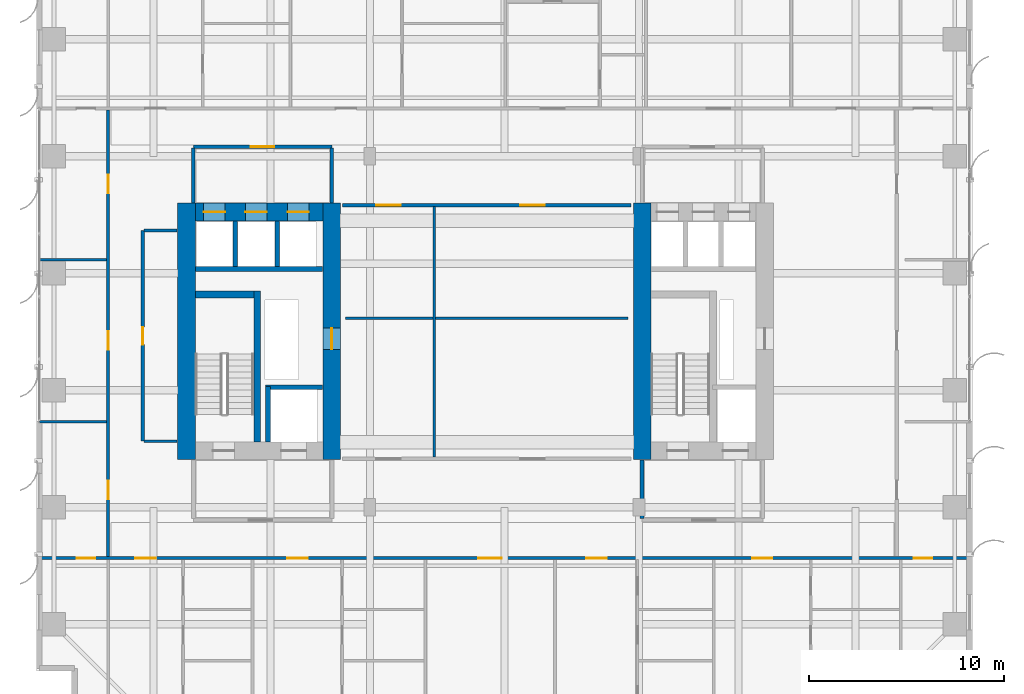
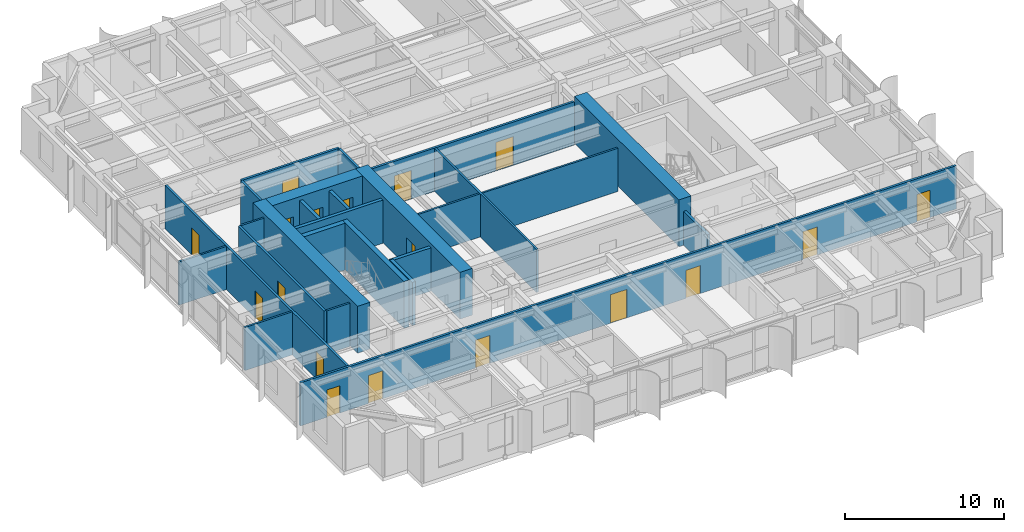
# One storey, part 16 of 23: 25 walls, 18 doors, 18 openings.
"""IFC4 building model written with IfcOpenShell, lengths in metres."""

from ifc_helpers import new_model, si_unit, direction, frame, frame_2d, origin, place, context, subcontext, project, spatial, rectangle, extrude, source, transform, mapped, material, layer, layer_set, type_object, element, fill, save


model = new_model("IFC4")

# Units and contexts
model_context = context("Model", 3, precision=1e-05, world=origin(), true_north=direction((0.0, 1.0)))
body_context = subcontext(model_context, "Body", "Model", "MODEL_VIEW")
ifc_project = project(units=[si_unit("LENGTHUNIT", "METRE"), si_unit("AREAUNIT", "SQUARE_METRE"), si_unit("VOLUMEUNIT", "CUBIC_METRE"), si_unit("PLANEANGLEUNIT", "RADIAN"), si_unit("MASSUNIT", "GRAM", prefix="KILO")], contexts=[model_context])

# Site, building, storey
site_placement = place(None, origin())
site = spatial("IfcSite", under=ifc_project, at=site_placement, CompositionType="ELEMENT")
building_placement = place(site_placement, origin())
building = spatial("IfcBuilding", under=site, at=building_placement, Name="Khoralis Quay Care Tower", CompositionType="ELEMENT")
storey_placement = place(building_placement, frame((0.0, 0.0, 33.300048828125)))
storey = spatial("IfcBuildingStorey", under=building, at=storey_placement, Name="L08", CompositionType="ELEMENT", Elevation=33.300048828125)

# Walls
ifc_material_1 = material(Name="Gypsum plasterboard on acoustic metal stud")
ifc_layer_1 = layer(ifc_material_1, 0.199951171875)
ifc_layer_set_1 = layer_set([ifc_layer_1], Name="Gypsum plasterboard on acoustic metal stud")
wall_type_1 = type_object("IfcWallType", Name="WL-COMP-200", PredefinedType="PARTITIONING", material=ifc_layer_set_1)
wall_1_placement = place(storey_placement, frame((31.050048828125, 11.445068359375, 0.0), z_axis=(0.0, 0.0, 1.0), x_axis=(0.0, 1.0, 0.0)))
element("IfcWall", 1, at=wall_1_placement, inside=storey, type_object=wall_type_1, Name="L08 East Firefighting Lobby West Wall", PredefinedType="PARTITIONING", context=body_context, shape_type="SweptSolid", body=[
    extrude(rectangle(XDim=2.98486328125, YDim=0.199951171875, at=frame_2d((1.492431640625, 0.0))), origin(), (0.0, 0.0, 1.0), 2.625),
])
ifc_material_2 = material(Name="Concrete C80/95", Category="concrete")
ifc_layer_2 = layer(ifc_material_2, 0.89990234375)
ifc_layer_set_2 = layer_set([ifc_layer_2], Name="Concrete C80/95")
wall_type_2 = type_object("IfcWallType", Name="WL-CORE-900", PredefinedType="SHEAR", material=ifc_layer_set_2)
wall_2_placement = place(storey_placement, frame((7.699951171875, 14.449951171875, 0.0), z_axis=(0.0, 0.0, 1.0), x_axis=(0.0, 1.0, 0.0)))
element("IfcWall", 2, at=wall_2_placement, inside=storey, type_object=wall_type_2, Name="L08 WCORE West Shear Wall", PredefinedType="SHEAR", context=body_context, shape_type="SweptSolid", body=[
    extrude(rectangle(XDim=13.150146484375, YDim=0.89990234375, at=frame_2d((6.5751953125, 0.0))), origin(), (0.0, 0.0, 1.0), 3.599853515625),
])

# Wall, opening, door
wall_3_placement = place(storey_placement, frame((15.14990234375, 14.449951171875, 0.0), z_axis=(0.0, 0.0, 1.0), x_axis=(0.0, 1.0, 0.0)))
wall_3 = element("IfcWall", 3, at=wall_3_placement, inside=storey, type_object=wall_type_2, Name="L08 WCORE East Shear Wall", PredefinedType="SHEAR", context=body_context, shape_type="SweptSolid", body=[
    extrude(rectangle(XDim=13.150146484375, YDim=0.89990234375, at=frame_2d((6.5751953125, 0.0))), origin(), (0.0, 0.0, 1.0), 3.599853515625),
])
opening_1_placement = place(wall_3_placement, frame((5.64990234375, 0.0, 0.0)))
opening_1 = element("IfcOpeningElement", 4, at=opening_1_placement, cuts=wall_3, Name="Opening SD1", PredefinedType="OPENING", context=body_context, shape_type="SweptSolid", body=[
    extrude(rectangle(XDim=1.10009765625, YDim=2.199951171875, at=frame_2d((0.550048828125, 1.10009765625))), frame((0.0, 0.4599609375, 0.0), z_axis=(0.0, -1.0, 0.0), x_axis=(1.0, 0.0, 0.0)), (0.0, 0.0, 1.0), 0.919921875),
])
ifc_material_3 = material(Name="Fire-rated painted steel", Category="steel")
door_type_1 = type_object("IfcDoorType", Name="DR-STAIR-1100X2200", OperationType="NOTDEFINED", PredefinedType="DOOR", material=ifc_material_3)
shared_shape_1 = source(origin(), body_context, "Body", "SweptSolid", [
    extrude(rectangle(XDim=1.10009765625, YDim=2.199951171875, at=frame_2d((0.550048828125, 1.10009765625))), frame((0.0, 0.02490234375, 0.0), z_axis=(0.0, -1.0, 0.0), x_axis=(1.0, 0.0, 0.0)), (0.0, 0.0, 1.0), 0.050048828125),
])
door_1_placement = place(opening_1_placement, origin())
door_1 = element("IfcDoor", 5, at=door_1_placement, inside=storey, type_object=door_type_1, Name="L08 West MEP Riser Door", OperationType="SINGLE_SWING_RIGHT", OverallHeight=2.199951171875, OverallWidth=1.10009765625, PredefinedType="DOOR", context=body_context, shape_type="MappedRepresentation", body=[
    mapped(shared_shape_1, transform((0.0, 0.0, 0.0), scale=1.0)),
])
fill(opening_1, door_1)

# Wall, openings, doors
wall_4_placement = place(storey_placement, frame((8.14990234375, 27.14990234375, 0.0), z_axis=(0.0, 0.0, 1.0), x_axis=(1.0, 0.0, 0.0)))
wall_4 = element("IfcWall", 6, at=wall_4_placement, inside=storey, type_object=wall_type_2, Name="L08 WCORE North Shear Wall", PredefinedType="SHEAR", context=body_context, shape_type="SweptSolid", body=[
    extrude(rectangle(XDim=6.550048828125, YDim=0.89990234375, at=frame_2d((3.27490234375, 0.0))), origin(), (0.0, 0.0, 1.0), 3.599853515625),
])
opening_2_placement = place(wall_4_placement, frame((0.429931640625, 0.0, 0.0)))
opening_2 = element("IfcOpeningElement", 7, at=opening_2_placement, cuts=wall_4, Name="Opening LD1", PredefinedType="OPENING", context=body_context, shape_type="SweptSolid", body=[
    extrude(rectangle(XDim=1.10009765625, YDim=2.199951171875, at=frame_2d((0.550048828125, 1.10009765625))), frame((0.0, 0.4599609375, 0.0), z_axis=(0.0, -1.0, 0.0), x_axis=(1.0, 0.0, 0.0)), (0.0, 0.0, 1.0), 0.919921875),
])
opening_3_placement = place(wall_4_placement, frame((2.570068359375, 0.0, 0.0)))
opening_3 = element("IfcOpeningElement", 8, at=opening_3_placement, cuts=wall_4, Name="Opening LD1", PredefinedType="OPENING", context=body_context, shape_type="SweptSolid", body=[
    extrude(rectangle(XDim=1.10009765625, YDim=2.199951171875, at=frame_2d((0.550048828125, 1.10009765625))), frame((0.0, 0.4599609375, 0.0), z_axis=(0.0, -1.0, 0.0), x_axis=(1.0, 0.0, 0.0)), (0.0, 0.0, 1.0), 0.919921875),
])
opening_4_placement = place(wall_4_placement, frame((4.72998046875, 0.0, 0.0)))
opening_4 = element("IfcOpeningElement", 9, at=opening_4_placement, cuts=wall_4, Name="Opening LD1", PredefinedType="OPENING", context=body_context, shape_type="SweptSolid", body=[
    extrude(rectangle(XDim=1.10009765625, YDim=2.199951171875, at=frame_2d((0.550048828125, 1.10009765625))), frame((0.0, 0.4599609375, 0.0), z_axis=(0.0, -1.0, 0.0), x_axis=(1.0, 0.0, 0.0)), (0.0, 0.0, 1.0), 0.919921875),
])
ifc_material_4 = material(Name="Brushed stainless steel", Category="steel")
door_type_2 = type_object("IfcDoorType", Name="DR-LIFT-1100X2200", OperationType="SLIDING_TO_LEFT", PredefinedType="DOOR", material=ifc_material_4)
shared_shape_2 = source(origin(), body_context, "Body", "SweptSolid", [
    extrude(rectangle(XDim=1.10009765625, YDim=2.199951171875, at=frame_2d((0.550048828125, 1.10009765625))), frame((0.0, 0.02490234375, 0.0), z_axis=(0.0, -1.0, 0.0), x_axis=(1.0, 0.0, 0.0)), (0.0, 0.0, 1.0), 0.050048828125),
])
door_2_placement = place(opening_2_placement, origin())
door_2 = element("IfcDoor", 10, at=door_2_placement, inside=storey, type_object=door_type_2, Name="L08 Lift PLL1 Landing Door", OperationType="SLIDING_TO_LEFT", OverallHeight=2.199951171875, OverallWidth=1.10009765625, PredefinedType="DOOR", context=body_context, shape_type="MappedRepresentation", body=[
    mapped(shared_shape_2, transform((0.0, 0.0, 0.0), scale=1.0)),
])
fill(opening_2, door_2)
door_3_placement = place(opening_3_placement, origin())
door_3 = element("IfcDoor", 11, at=door_3_placement, inside=storey, type_object=door_type_2, Name="L08 Lift PLM1 Landing Door", OperationType="SLIDING_TO_LEFT", OverallHeight=2.199951171875, OverallWidth=1.10009765625, PredefinedType="DOOR", context=body_context, shape_type="MappedRepresentation", body=[
    mapped(shared_shape_2, transform((0.0, 0.0, 0.0), scale=1.0)),
])
fill(opening_3, door_3)
door_4_placement = place(opening_4_placement, origin())
door_4 = element("IfcDoor", 12, at=door_4_placement, inside=storey, type_object=door_type_2, Name="L08 Lift PLH1 Landing Door", OperationType="SLIDING_TO_LEFT", OverallHeight=2.199951171875, OverallWidth=1.10009765625, PredefinedType="DOOR", context=body_context, shape_type="MappedRepresentation", body=[
    mapped(shared_shape_2, transform((0.0, 0.0, 0.0), scale=1.0)),
])
fill(opening_4, door_4)

# Wall
wall_5_placement = place(storey_placement, frame((31.070068359375, 14.449951171875, 0.0), z_axis=(0.0, 0.0, 1.0), x_axis=(0.0, 1.0, 0.0)))
element("IfcWall", 13, at=wall_5_placement, inside=storey, type_object=wall_type_2, Name="L08 ECORE West Shear Wall", PredefinedType="SHEAR", context=body_context, shape_type="SweptSolid", body=[
    extrude(rectangle(XDim=13.150146484375, YDim=0.89990234375, at=frame_2d((6.5751953125, 0.0))), origin(), (0.0, 0.0, 1.0), 3.599853515625),
])

# Wall, opening, door
ifc_layer_3 = layer(ifc_material_1, 0.1650390625)
ifc_layer_set_3 = layer_set([ifc_layer_3], Name="Gypsum plasterboard on acoustic metal stud")
wall_type_3 = type_object("IfcWallType", Name="WL-CORR-165", PredefinedType="PARTITIONING", material=ifc_layer_set_3)
wall_6_placement = place(storey_placement, frame((8.050048828125, 30.5, 0.0), z_axis=(0.0, 0.0, 1.0), x_axis=(1.0, 0.0, 0.0)))
wall_6 = element("IfcWall", 14, at=wall_6_placement, inside=storey, type_object=wall_type_3, Name="L08 West Lift Lobby North Wall", PredefinedType="PARTITIONING", context=body_context, shape_type="SweptSolid", body=[
    extrude(rectangle(XDim=7.099853515625, YDim=0.1650390625, at=frame_2d((3.5498046875, 0.0))), origin(), (0.0, 0.0, 1.0), 3.320068359375),
])
opening_5_placement = place(wall_6_placement, frame((2.949951171875, 0.0, 0.0)))
opening_5 = element("IfcOpeningElement", 15, at=opening_5_placement, cuts=wall_6, Name="Opening FD1", PredefinedType="OPENING", context=body_context, shape_type="SweptSolid", body=[
    extrude(rectangle(XDim=1.199951171875, YDim=2.199951171875, at=frame_2d((0.60009765625, 1.10009765625))), frame((0.0, 0.092529296875, 0.0), z_axis=(0.0, -1.0, 0.0), x_axis=(1.0, 0.0, 0.0)), (0.0, 0.0, 1.0), 0.18505859375),
])
door_type_3 = type_object("IfcDoorType", Name="DR-FFL-1200X2200", OperationType="NOTDEFINED", PredefinedType="DOOR", material=ifc_material_3)
shared_shape_3 = source(origin(), body_context, "Body", "SweptSolid", [
    extrude(rectangle(XDim=1.199951171875, YDim=2.199951171875, at=frame_2d((0.60009765625, 1.10009765625))), frame((0.0, 0.02490234375, 0.0), z_axis=(0.0, -1.0, 0.0), x_axis=(1.0, 0.0, 0.0)), (0.0, 0.0, 1.0), 0.050048828125),
])
door_5_placement = place(opening_5_placement, origin())
door_5 = element("IfcDoor", 16, at=door_5_placement, inside=storey, type_object=door_type_3, Name="L08 West Lift Lobby Double Door", OperationType="DOUBLE_DOOR_SINGLE_SWING", OverallHeight=2.199951171875, OverallWidth=1.199951171875, PredefinedType="DOOR", context=body_context, shape_type="MappedRepresentation", body=[
    mapped(shared_shape_3, transform((0.0, 0.0, 0.0), scale=1.0)),
])
fill(opening_5, door_5)

# Walls
for number, where, z_axis, x_axis, name in (
    (17, (8.050048828125, 27.6201171875, 0.0), (0.0, 0.0, 1.0), (0.0, 1.0, 0.0), "L08 West Lift Lobby West Wall"),
    (18, (15.14990234375, 27.6201171875, 0.0), (0.0, 0.0, 1.0), (0.0, 1.0, 0.0), "L08 West Lift Lobby East Wall"),
):
    element("IfcWall", number, at=place(storey_placement, frame(where, z_axis=z_axis, x_axis=x_axis)), inside=storey, type_object=wall_type_3, Name=name, PredefinedType="PARTITIONING", context=body_context, shape_type="SweptSolid", body=[
        extrude(rectangle(XDim=2.802490234375, YDim=0.1650390625, at=frame_2d((1.4013671875, 0.0))), origin(), (0.0, 0.0, 1.0), 3.320068359375),
    ])

# Wall, opening, door
wall_7_placement = place(storey_placement, frame((5.449951171875, 15.39990234375, 0.0), z_axis=(0.0, 0.0, 1.0), x_axis=(0.0, 1.0, 0.0)))
wall_7 = element("IfcWall", 19, at=wall_7_placement, inside=storey, type_object=wall_type_3, Name="L08 West Core Service Flank Wall", PredefinedType="PARTITIONING", context=body_context, shape_type="SweptSolid", body=[
    extrude(rectangle(XDim=10.800048828125, YDim=0.1650390625, at=frame_2d((5.39990234375, 0.0))), origin(), (0.0, 0.0, 1.0), 3.320068359375),
])
opening_6_placement = place(wall_7_placement, frame((4.949951171875, 0.0, 0.0)))
opening_6 = element("IfcOpeningElement", 20, at=opening_6_placement, cuts=wall_7, Name="Opening WD1", PredefinedType="OPENING", context=body_context, shape_type="SweptSolid", body=[
    extrude(rectangle(XDim=0.89990234375, YDim=2.10009765625, at=frame_2d((0.449951171875, 1.050048828125))), frame((0.0, 0.092529296875, 0.0), z_axis=(0.0, -1.0, 0.0), x_axis=(1.0, 0.0, 0.0)), (0.0, 0.0, 1.0), 0.18505859375),
])
ifc_material_5 = material(Name="Acoustic hardwood timber", Category="wood")
door_type_4 = type_object("IfcDoorType", Name="DR-BATH-900X2100", OperationType="NOTDEFINED", PredefinedType="DOOR", material=ifc_material_5)
shared_shape_4 = source(origin(), body_context, "Body", "SweptSolid", [
    extrude(rectangle(XDim=0.89990234375, YDim=2.10009765625, at=frame_2d((0.449951171875, 1.050048828125))), frame((0.0, 0.02490234375, 0.0), z_axis=(0.0, -1.0, 0.0), x_axis=(1.0, 0.0, 0.0)), (0.0, 0.0, 1.0), 0.050048828125),
])
door_6_placement = place(opening_6_placement, frame((0.89990234375, 0.0, 0.0), z_axis=(0.0, 0.0, 1.0), x_axis=(-1.0, 0.0, 0.0)))
door_6 = element("IfcDoor", 21, at=door_6_placement, inside=storey, type_object=door_type_4, Name="L08 Housekeeping & Public Accessible WC Door", OperationType="SINGLE_SWING_LEFT", OverallHeight=2.10009765625, OverallWidth=0.89990234375, PredefinedType="DOOR", context=body_context, shape_type="MappedRepresentation", body=[
    mapped(shared_shape_4, transform((0.0, 0.0, 0.0), scale=1.0)),
])
fill(opening_6, door_6)

# Wall, openings, doors
wall_8_placement = place(storey_placement, frame((0.14501953125, 9.39990234375, 0.0), z_axis=(0.0, 0.0, 1.0), x_axis=(1.0, 0.0, 0.0)))
wall_8 = element("IfcWall", 22, at=wall_8_placement, inside=storey, type_object=wall_type_3, Name="L08 South Main Corridor Wall", PredefinedType="PARTITIONING", context=body_context, shape_type="SweptSolid", body=[
    extrude(rectangle(XDim=47.7099609375, YDim=0.1650390625, at=frame_2d((23.85498046875, 0.0))), origin(), (0.0, 0.0, 1.0), 3.320068359375),
])
opening_7_placement = place(wall_8_placement, frame((4.93408203125, 0.0, 0.0)))
opening_7 = element("IfcOpeningElement", 23, at=opening_7_placement, cuts=wall_8, Name="Opening UD1", PredefinedType="OPENING", context=body_context, shape_type="SweptSolid", body=[
    extrude(rectangle(XDim=1.050048828125, YDim=2.14990234375, at=frame_2d((0.52490234375, 1.074951171875))), frame((0.0, 0.092529296875, 0.0), z_axis=(0.0, -1.0, 0.0), x_axis=(1.0, 0.0, 0.0)), (0.0, 0.0, 1.0), 0.18505859375),
])
opening_8_placement = place(wall_8_placement, frame((12.71337890625, 0.0, 0.0)))
opening_8 = element("IfcOpeningElement", 24, at=opening_8_placement, cuts=wall_8, Name="Opening UD1", PredefinedType="OPENING", context=body_context, shape_type="SweptSolid", body=[
    extrude(rectangle(XDim=1.050048828125, YDim=2.14990234375, at=frame_2d((0.52490234375, 1.074951171875))), frame((0.0, 0.092529296875, 0.0), z_axis=(0.0, -1.0, 0.0), x_axis=(1.0, 0.0, 0.0)), (0.0, 0.0, 1.0), 0.18505859375),
])
opening_9_placement = place(wall_8_placement, frame((22.52490234375, 0.0, 0.0)))
opening_9 = element("IfcOpeningElement", 25, at=opening_9_placement, cuts=wall_8, Name="Opening FD1", PredefinedType="OPENING", context=body_context, shape_type="SweptSolid", body=[
    extrude(rectangle(XDim=1.199951171875, YDim=2.199951171875, at=frame_2d((0.60009765625, 1.10009765625))), frame((0.0, 0.092529296875, 0.0), z_axis=(0.0, -1.0, 0.0), x_axis=(1.0, 0.0, 0.0)), (0.0, 0.0, 1.0), 0.18505859375),
])
opening_10_placement = place(wall_8_placement, frame((28.0439453125, 0.0, 0.0)))
opening_10 = element("IfcOpeningElement", 26, at=opening_10_placement, cuts=wall_8, Name="Opening UD1", PredefinedType="OPENING", context=body_context, shape_type="SweptSolid", body=[
    extrude(rectangle(XDim=1.050048828125, YDim=2.14990234375, at=frame_2d((0.52490234375, 1.074951171875))), frame((0.0, 0.092529296875, 0.0), z_axis=(0.0, -1.0, 0.0), x_axis=(1.0, 0.0, 0.0)), (0.0, 0.0, 1.0), 0.18505859375),
])
opening_11_placement = place(wall_8_placement, frame((36.553466796875, 0.0, 0.0)))
opening_11 = element("IfcOpeningElement", 27, at=opening_11_placement, cuts=wall_8, Name="Opening UD1", PredefinedType="OPENING", context=body_context, shape_type="SweptSolid", body=[
    extrude(rectangle(XDim=1.050048828125, YDim=2.14990234375, at=frame_2d((0.52490234375, 1.074951171875))), frame((0.0, 0.092529296875, 0.0), z_axis=(0.0, -1.0, 0.0), x_axis=(1.0, 0.0, 0.0)), (0.0, 0.0, 1.0), 0.18505859375),
])
opening_12_placement = place(wall_8_placement, frame((1.919921875, 0.0, 0.0)))
opening_12 = element("IfcOpeningElement", 28, at=opening_12_placement, cuts=wall_8, Name="Opening ID1", PredefinedType="OPENING", context=body_context, shape_type="SweptSolid", body=[
    extrude(rectangle(XDim=0.949951171875, YDim=2.10009765625, at=frame_2d((0.47509765625, 1.050048828125))), frame((0.0, 0.092529296875, 0.0), z_axis=(0.0, -1.0, 0.0), x_axis=(1.0, 0.0, 0.0)), (0.0, 0.0, 1.0), 0.18505859375),
])
opening_13_placement = place(wall_8_placement, frame((44.840087890625, 0.0, 0.0)))
opening_13 = element("IfcOpeningElement", 29, at=opening_13_placement, cuts=wall_8, Name="Opening ID1", PredefinedType="OPENING", context=body_context, shape_type="SweptSolid", body=[
    extrude(rectangle(XDim=0.949951171875, YDim=2.10009765625, at=frame_2d((0.47509765625, 1.050048828125))), frame((0.0, 0.092529296875, 0.0), z_axis=(0.0, -1.0, 0.0), x_axis=(1.0, 0.0, 0.0)), (0.0, 0.0, 1.0), 0.18505859375),
])
door_7_placement = place(opening_9_placement, frame((1.199951171875, 0.0, 0.0), z_axis=(0.0, 0.0, 1.0), x_axis=(-1.0, 0.0, 0.0)))
door_7 = element("IfcDoor", 30, at=door_7_placement, inside=storey, type_object=door_type_3, Name="L08 Resident Communal Day Lounge Door", OperationType="DOUBLE_DOOR_SINGLE_SWING", OverallHeight=2.199951171875, OverallWidth=1.199951171875, PredefinedType="DOOR", context=body_context, shape_type="MappedRepresentation", body=[
    mapped(shared_shape_3, transform((0.0, 0.0, 0.0), scale=1.0)),
])
fill(opening_9, door_7)
door_type_5 = type_object("IfcDoorType", Name="DR-ROOM-950X2100", OperationType="NOTDEFINED", PredefinedType="DOOR", material=ifc_material_5)
shared_shape_5 = source(origin(), body_context, "Body", "SweptSolid", [
    extrude(rectangle(XDim=0.949951171875, YDim=2.10009765625, at=frame_2d((0.47509765625, 1.050048828125))), frame((0.0, 0.02490234375, 0.0), z_axis=(0.0, -1.0, 0.0), x_axis=(1.0, 0.0, 0.0)), (0.0, 0.0, 1.0), 0.050048828125),
])
door_8_placement = place(opening_12_placement, frame((0.949951171875, 0.0, 0.0), z_axis=(0.0, 0.0, 1.0), x_axis=(-1.0, 0.0, 0.0)))
door_8 = element("IfcDoor", 31, at=door_8_placement, inside=storey, type_object=door_type_5, Name="L08 SW Corner Door", OperationType="SINGLE_SWING_LEFT", OverallHeight=2.10009765625, OverallWidth=0.949951171875, PredefinedType="DOOR", context=body_context, shape_type="MappedRepresentation", body=[
    mapped(shared_shape_5, transform((0.0, 0.0, 0.0), scale=1.0)),
])
fill(opening_12, door_8)
door_9_placement = place(opening_13_placement, frame((0.949951171875, 0.0, 0.0), z_axis=(0.0, 0.0, 1.0), x_axis=(-1.0, 0.0, 0.0)))
door_9 = element("IfcDoor", 32, at=door_9_placement, inside=storey, type_object=door_type_5, Name="L08 SE Corner Door", OperationType="SINGLE_SWING_RIGHT", OverallHeight=2.10009765625, OverallWidth=0.949951171875, PredefinedType="DOOR", context=body_context, shape_type="MappedRepresentation", body=[
    mapped(shared_shape_5, transform((0.0, 0.0, 0.0), scale=1.0)),
])
fill(opening_13, door_9)
door_type_6 = type_object("IfcDoorType", Name="DR-SUITE-1050X2150", OperationType="NOTDEFINED", PredefinedType="DOOR", material=ifc_material_5)
shared_shape_6 = source(origin(), body_context, "Body", "SweptSolid", [
    extrude(rectangle(XDim=1.050048828125, YDim=2.14990234375, at=frame_2d((0.52490234375, 1.074951171875))), frame((0.0, 0.02490234375, 0.0), z_axis=(0.0, -1.0, 0.0), x_axis=(1.0, 0.0, 0.0)), (0.0, 0.0, 1.0), 0.050048828125),
])
door_10_placement = place(opening_7_placement, frame((1.050048828125, 0.0, 0.0), z_axis=(0.0, 0.0, 1.0), x_axis=(-1.0, 0.0, 0.0)))
door_10 = element("IfcDoor", 33, at=door_10_placement, inside=storey, type_object=door_type_6, Name="L08 Apartment SB0 Entrance Door", OperationType="SINGLE_SWING_RIGHT", OverallHeight=2.14990234375, OverallWidth=1.050048828125, PredefinedType="DOOR", context=body_context, shape_type="MappedRepresentation", body=[
    mapped(shared_shape_6, transform((0.0, 0.0, 0.0), scale=1.0)),
])
fill(opening_7, door_10)
door_11_placement = place(opening_8_placement, frame((1.050048828125, 0.0, 0.0), z_axis=(0.0, 0.0, 1.0), x_axis=(-1.0, 0.0, 0.0)))
door_11 = element("IfcDoor", 34, at=door_11_placement, inside=storey, type_object=door_type_6, Name="L08 Apartment SB1 Entrance Door", OperationType="SINGLE_SWING_LEFT", OverallHeight=2.14990234375, OverallWidth=1.050048828125, PredefinedType="DOOR", context=body_context, shape_type="MappedRepresentation", body=[
    mapped(shared_shape_6, transform((0.0, 0.0, 0.0), scale=1.0)),
])
fill(opening_8, door_11)
door_12_placement = place(opening_10_placement, frame((1.050048828125, 0.0, 0.0), z_axis=(0.0, 0.0, 1.0), x_axis=(-1.0, 0.0, 0.0)))
door_12 = element("IfcDoor", 35, at=door_12_placement, inside=storey, type_object=door_type_6, Name="L08 Apartment SB3 Entrance Door", OperationType="SINGLE_SWING_LEFT", OverallHeight=2.14990234375, OverallWidth=1.050048828125, PredefinedType="DOOR", context=body_context, shape_type="MappedRepresentation", body=[
    mapped(shared_shape_6, transform((0.0, 0.0, 0.0), scale=1.0)),
])
fill(opening_10, door_12)
door_13_placement = place(opening_11_placement, frame((1.050048828125, 0.0, 0.0), z_axis=(0.0, 0.0, 1.0), x_axis=(-1.0, 0.0, 0.0)))
door_13 = element("IfcDoor", 36, at=door_13_placement, inside=storey, type_object=door_type_6, Name="L08 Apartment SB4 Entrance Door", OperationType="SINGLE_SWING_RIGHT", OverallHeight=2.14990234375, OverallWidth=1.050048828125, PredefinedType="DOOR", context=body_context, shape_type="MappedRepresentation", body=[
    mapped(shared_shape_6, transform((0.0, 0.0, 0.0), scale=1.0)),
])
fill(opening_11, door_13)

wall_9_placement = place(storey_placement, frame((3.679931640625, 9.4775390625, 0.0), z_axis=(0.0, 0.0, 1.0), x_axis=(0.0, 1.0, 0.0)))
wall_9 = element("IfcWall", 37, at=wall_9_placement, inside=storey, type_object=wall_type_3, Name="L08 West Loop Corridor Wall", PredefinedType="PARTITIONING", context=body_context, shape_type="SweptSolid", body=[
    extrude(rectangle(XDim=22.905029296875, YDim=0.1650390625, at=frame_2d((11.45263671875, 0.0))), origin(), (0.0, 0.0, 1.0), 3.320068359375),
])
opening_14_placement = place(wall_9_placement, frame((2.947509765625, 0.0, 0.0)))
opening_14 = element("IfcOpeningElement", 38, at=opening_14_placement, cuts=wall_9, Name="Opening ID1", PredefinedType="OPENING", context=body_context, shape_type="SweptSolid", body=[
    extrude(rectangle(XDim=0.949951171875, YDim=2.10009765625, at=frame_2d((0.47509765625, 1.050048828125))), frame((0.0, 0.092529296875, 0.0), z_axis=(0.0, -1.0, 0.0), x_axis=(1.0, 0.0, 0.0)), (0.0, 0.0, 1.0), 0.18505859375),
])
opening_15_placement = place(wall_9_placement, frame((10.597412109375, 0.0, 0.0)))
opening_15 = element("IfcOpeningElement", 39, at=opening_15_placement, cuts=wall_9, Name="Opening ID1", PredefinedType="OPENING", context=body_context, shape_type="SweptSolid", body=[
    extrude(rectangle(XDim=0.949951171875, YDim=2.10009765625, at=frame_2d((0.47509765625, 1.050048828125))), frame((0.0, 0.092529296875, 0.0), z_axis=(0.0, -1.0, 0.0), x_axis=(1.0, 0.0, 0.0)), (0.0, 0.0, 1.0), 0.18505859375),
])
opening_16_placement = place(wall_9_placement, frame((18.62744140625, 0.0, 0.0)))
opening_16 = element("IfcOpeningElement", 40, at=opening_16_placement, cuts=wall_9, Name="Opening ID1", PredefinedType="OPENING", context=body_context, shape_type="SweptSolid", body=[
    extrude(rectangle(XDim=0.949951171875, YDim=2.10009765625, at=frame_2d((0.47509765625, 1.050048828125))), frame((0.0, 0.092529296875, 0.0), z_axis=(0.0, -1.0, 0.0), x_axis=(1.0, 0.0, 0.0)), (0.0, 0.0, 1.0), 0.18505859375),
])
door_14_placement = place(opening_14_placement, origin())
door_14 = element("IfcDoor", 41, at=door_14_placement, inside=storey, type_object=door_type_5, Name="L08 Therapy Consultation Room Door", OperationType="SINGLE_SWING_LEFT", OverallHeight=2.10009765625, OverallWidth=0.949951171875, PredefinedType="DOOR", context=body_context, shape_type="MappedRepresentation", body=[
    mapped(shared_shape_5, transform((0.0, 0.0, 0.0), scale=1.0)),
])
fill(opening_14, door_14)
door_15_placement = place(opening_15_placement, origin())
door_15 = element("IfcDoor", 42, at=door_15_placement, inside=storey, type_object=door_type_5, Name="L08 Assisted Activity Lounge Door", OperationType="SINGLE_SWING_RIGHT", OverallHeight=2.10009765625, OverallWidth=0.949951171875, PredefinedType="DOOR", context=body_context, shape_type="MappedRepresentation", body=[
    mapped(shared_shape_5, transform((0.0, 0.0, 0.0), scale=1.0)),
])
fill(opening_15, door_15)
door_16_placement = place(opening_16_placement, origin())
door_16 = element("IfcDoor", 43, at=door_16_placement, inside=storey, type_object=door_type_5, Name="L08 Nurse Charting Office Door", OperationType="SINGLE_SWING_LEFT", OverallHeight=2.10009765625, OverallWidth=0.949951171875, PredefinedType="DOOR", context=body_context, shape_type="MappedRepresentation", body=[
    mapped(shared_shape_5, transform((0.0, 0.0, 0.0), scale=1.0)),
])
fill(opening_16, door_16)

wall_10_placement = place(storey_placement, frame((15.699951171875, 27.5, 0.0), z_axis=(0.0, 0.0, 1.0), x_axis=(1.0, 0.0, 0.0)))
wall_10 = element("IfcWall", 44, at=wall_10_placement, inside=storey, type_object=wall_type_3, Name="L08 Central Clinical North Wall", PredefinedType="PARTITIONING", context=body_context, shape_type="SweptSolid", body=[
    extrude(rectangle(XDim=14.800048828125, YDim=0.1650390625, at=frame_2d((7.39990234375, 0.0))), origin(), (0.0, 0.0, 1.0), 3.320068359375),
])
opening_17_placement = place(wall_10_placement, frame((1.72509765625, 0.0, 0.0)))
opening_17 = element("IfcOpeningElement", 45, at=opening_17_placement, cuts=wall_10, Name="Opening CD1", PredefinedType="OPENING", context=body_context, shape_type="SweptSolid", body=[
    extrude(rectangle(XDim=1.25, YDim=2.199951171875, at=frame_2d((0.625, 1.10009765625))), frame((0.0, 0.092529296875, 0.0), z_axis=(0.0, -1.0, 0.0), x_axis=(1.0, 0.0, 0.0)), (0.0, 0.0, 1.0), 0.18505859375),
])
opening_18_placement = place(wall_10_placement, frame((9.125, 0.0, 0.0)))
opening_18 = element("IfcOpeningElement", 46, at=opening_18_placement, cuts=wall_10, Name="Opening CD1", PredefinedType="OPENING", context=body_context, shape_type="SweptSolid", body=[
    extrude(rectangle(XDim=1.25, YDim=2.199951171875, at=frame_2d((0.625, 1.10009765625))), frame((0.0, 0.092529296875, 0.0), z_axis=(0.0, -1.0, 0.0), x_axis=(1.0, 0.0, 0.0)), (0.0, 0.0, 1.0), 0.18505859375),
])
door_type_7 = type_object("IfcDoorType", Name="DR-CARE-1250X2200", OperationType="NOTDEFINED", PredefinedType="DOOR", material=ifc_material_5)
shared_shape_7 = source(origin(), body_context, "Body", "SweptSolid", [
    extrude(rectangle(XDim=1.25, YDim=2.199951171875, at=frame_2d((0.625, 1.10009765625))), frame((0.0, 0.02490234375, 0.0), z_axis=(0.0, -1.0, 0.0), x_axis=(1.0, 0.0, 0.0)), (0.0, 0.0, 1.0), 0.050048828125),
])
door_17_placement = place(opening_17_placement, frame((1.25, 0.0, 0.0), z_axis=(0.0, 0.0, 1.0), x_axis=(-1.0, 0.0, 0.0)))
door_17 = element("IfcDoor", 47, at=door_17_placement, inside=storey, type_object=door_type_7, Name="L08 Library Lounge Door", OperationType="SINGLE_SWING_LEFT", OverallHeight=2.199951171875, OverallWidth=1.25, PredefinedType="DOOR", context=body_context, shape_type="MappedRepresentation", body=[
    mapped(shared_shape_7, transform((0.0, 0.0, 0.0), scale=1.0)),
])
fill(opening_17, door_17)
door_18_placement = place(opening_18_placement, frame((1.25, 0.0, 0.0), z_axis=(0.0, 0.0, 1.0), x_axis=(-1.0, 0.0, 0.0)))
door_18 = element("IfcDoor", 48, at=door_18_placement, inside=storey, type_object=door_type_7, Name="L08 Occupational Therapy Door", OperationType="SINGLE_SWING_RIGHT", OverallHeight=2.199951171875, OverallWidth=1.25, PredefinedType="DOOR", context=body_context, shape_type="MappedRepresentation", body=[
    mapped(shared_shape_7, transform((0.0, 0.0, 0.0), scale=1.0)),
])
fill(opening_18, door_18)

# Walls
ifc_material_6 = material(Name="Concrete C40/50", Category="concrete")
ifc_layer_4 = layer(ifc_material_6, 0.35009765625)
ifc_layer_set_4 = layer_set([ifc_layer_4], Name="Concrete C40/50")
wall_type_4 = type_object("IfcWallType", Name="WL-SC-CORE-350", PredefinedType="SHEAR", material=ifc_layer_set_4)
wall_11_placement = place(storey_placement, frame((11.324951171875, 15.35009765625, 0.0), z_axis=(0.0, 0.0, 1.0), x_axis=(0.0, 1.0, 0.0)))
element("IfcWall", 49, at=wall_11_placement, inside=storey, type_object=wall_type_4, Name="L08 Stair ST-T1 Shear Baffle Wall East", PredefinedType="SHEAR", context=body_context, shape_type="SweptSolid", body=[
    extrude(rectangle(XDim=7.75, YDim=0.35009765625, at=frame_2d((3.875, 0.0))), origin(), (0.0, 0.0, 1.0), 3.599853515625),
])
wall_12_placement = place(storey_placement, frame((8.14990234375, 22.925048828125, 0.0), z_axis=(0.0, 0.0, 1.0), x_axis=(1.0, 0.0, 0.0)))
element("IfcWall", 50, at=wall_12_placement, inside=storey, type_object=wall_type_4, Name="L08 Stair ST-T1 Shear Baffle Wall North", PredefinedType="SHEAR", context=body_context, shape_type="SweptSolid", body=[
    extrude(rectangle(XDim=3.0, YDim=0.35009765625, at=frame_2d((1.5, 0.0))), origin(), (0.0, 0.0, 1.0), 3.599853515625),
])
ifc_layer_5 = layer(ifc_material_1, 0.239990234375)
ifc_layer_set_5 = layer_set([ifc_layer_5], Name="Gypsum plasterboard on acoustic metal stud")
wall_type_5 = type_object("IfcWallType", Name="WL-SHAFT-240", PredefinedType="PARTITIONING", material=ifc_layer_set_5)
wall_13_placement = place(storey_placement, frame((11.8798828125, 15.35009765625, 0.0), z_axis=(0.0, 0.0, 1.0), x_axis=(0.0, 1.0, 0.0)))
element("IfcWall", 51, at=wall_13_placement, inside=storey, type_object=wall_type_5, Name="L08 FFL-1 Shaft Wall West", PredefinedType="PARTITIONING", context=body_context, shape_type="SweptSolid", body=[
    extrude(rectangle(XDim=2.849853515625, YDim=0.239990234375, at=frame_2d((1.4248046875, 0.0))), origin(), (0.0, 0.0, 1.0), 3.320068359375),
])
wall_14_placement = place(storey_placement, frame((11.760009765625, 18.169921875, 0.0), z_axis=(0.0, 0.0, 1.0), x_axis=(1.0, 0.0, 0.0)))
element("IfcWall", 52, at=wall_14_placement, inside=storey, type_object=wall_type_5, Name="L08 FFL-1 Shaft Wall North", PredefinedType="PARTITIONING", context=body_context, shape_type="SweptSolid", body=[
    extrude(rectangle(XDim=2.919921875, YDim=0.239990234375, at=frame_2d((1.4599609375, 0.0))), origin(), (0.0, 0.0, 1.0), 3.320068359375),
])
wall_15_placement = place(storey_placement, frame((8.14990234375, 24.22998046875, 0.0), z_axis=(0.0, 0.0, 1.0), x_axis=(1.0, 0.0, 0.0)))
element("IfcWall", 53, at=wall_15_placement, inside=storey, type_object=wall_type_5, Name="L08 West Passenger Shaft South Wall", PredefinedType="PARTITIONING", context=body_context, shape_type="SweptSolid", body=[
    extrude(rectangle(XDim=6.530029296875, YDim=0.239990234375, at=frame_2d((3.26513671875, 0.0))), origin(), (0.0, 0.0, 1.0), 3.320068359375),
])
for number, where, z_axis, x_axis, name in (
    (54, (10.199951171875, 24.344970703125, 0.0), (0.0, 0.0, 1.0), (0.0, 1.0, 0.0), "L08 West Shaft Divider 1"),
    (55, (12.35009765625, 24.344970703125, 0.0), (0.0, 0.0, 1.0), (0.0, 1.0, 0.0), "L08 West Shaft Divider 2"),
):
    element("IfcWall", number, at=place(storey_placement, frame(where, z_axis=z_axis, x_axis=x_axis)), inside=storey, type_object=wall_type_5, Name=name, PredefinedType="PARTITIONING", context=body_context, shape_type="SweptSolid", body=[
        extrude(rectangle(XDim=2.3349609375, YDim=0.239990234375, at=frame_2d((1.16748046875, 0.0))), origin(), (0.0, 0.0, 1.0), 3.320068359375),
    ])
ifc_layer_6 = layer(ifc_material_1, 0.139892578125)
ifc_layer_set_6 = layer_set([ifc_layer_6], Name="Gypsum plasterboard on acoustic metal stud")
wall_type_6 = type_object("IfcWallType", Name="WL-UNIT-140", PredefinedType="PARTITIONING", material=ifc_layer_set_6)
for number, where, z_axis, x_axis, name in (
    (56, (5.527587890625, 15.39990234375, 0.0), (0.0, 0.0, 1.0), (1.0, 0.0, 0.0), "L08 West Flank South Cap"),
    (57, (5.527587890625, 26.199951171875, 0.0), (0.0, 0.0, 1.0), (1.0, 0.0, 0.0), "L08 West Flank North Cap"),
):
    element("IfcWall", number, at=place(storey_placement, frame(where, z_axis=z_axis, x_axis=x_axis)), inside=storey, type_object=wall_type_6, Name=name, PredefinedType="PARTITIONING", context=body_context, shape_type="SweptSolid", body=[
        extrude(rectangle(XDim=1.682373046875, YDim=0.139892578125, at=frame_2d((0.84130859375, 0.0))), origin(), (0.0, 0.0, 1.0), 3.320068359375),
    ])
for number, where, z_axis, x_axis, name in (
    (58, (0.14501953125, 16.39990234375, 0.0), (0.0, 0.0, 1.0), (1.0, 0.0, 0.0), "L08 WW Divider 1"),
    (59, (0.14501953125, 24.699951171875, 0.0), (0.0, 0.0, 1.0), (1.0, 0.0, 0.0), "L08 WW Divider 2"),
):
    element("IfcWall", number, at=place(storey_placement, frame(where, z_axis=z_axis, x_axis=x_axis)), inside=storey, type_object=wall_type_6, Name=name, PredefinedType="PARTITIONING", context=body_context, shape_type="SweptSolid", body=[
        extrude(rectangle(XDim=3.45751953125, YDim=0.139892578125, at=frame_2d((1.728759765625, 0.0))), origin(), (0.0, 0.0, 1.0), 3.320068359375),
    ])
wall_16_placement = place(storey_placement, frame((20.39990234375, 14.577392578125, 0.0), z_axis=(0.0, 0.0, 1.0), x_axis=(0.0, 1.0, 0.0)))
element("IfcWall", 60, at=wall_16_placement, inside=storey, type_object=wall_type_6, Name="L08 Central Split V", PredefinedType="PARTITIONING", context=body_context, shape_type="SweptSolid", body=[
    extrude(rectangle(XDim=12.84521484375, YDim=0.139892578125, at=frame_2d((6.422607421875, 0.0))), origin(), (0.0, 0.0, 1.0), 3.320068359375),
])
wall_17_placement = place(storey_placement, frame((15.85009765625, 21.699951171875, 0.0), z_axis=(0.0, 0.0, 1.0), x_axis=(1.0, 0.0, 0.0)))
element("IfcWall", 61, at=wall_17_placement, inside=storey, type_object=wall_type_6, Name="L08 Central Split H", PredefinedType="PARTITIONING", context=body_context, shape_type="SweptSolid", body=[
    extrude(rectangle(XDim=14.5, YDim=0.139892578125, at=frame_2d((7.25, 0.0))), origin(), (0.0, 0.0, 1.0), 3.320068359375),
])

save(model, "model.ifc")
